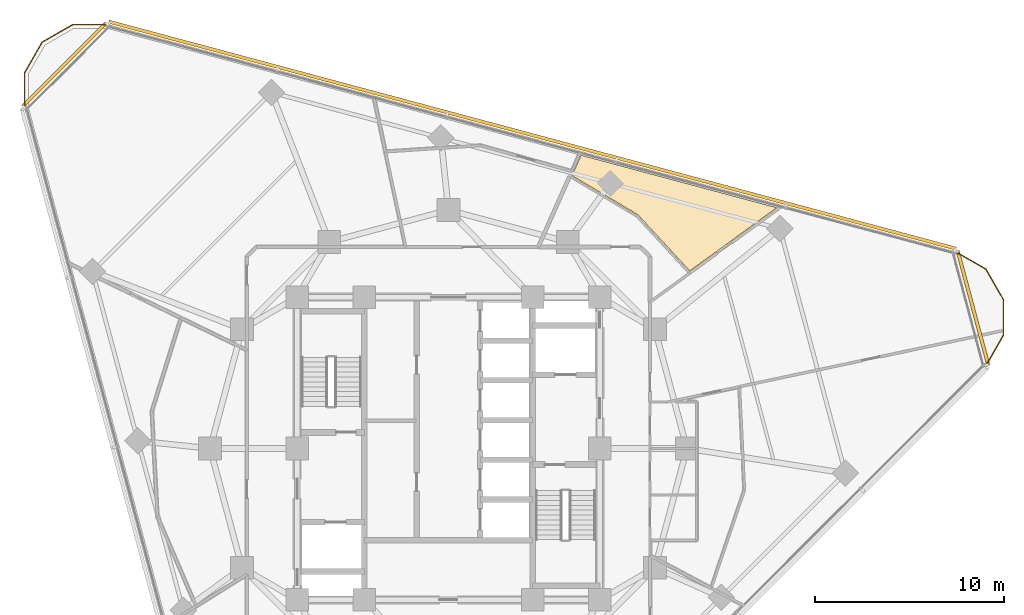
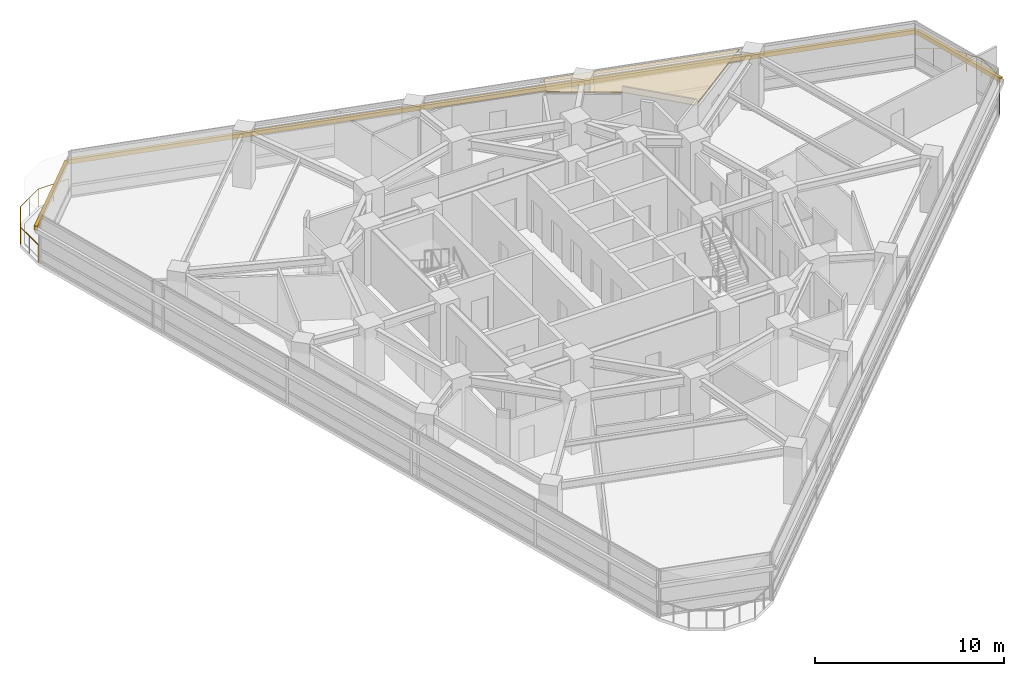
# One storey, part 14 of 14: 3 shading devices, 2 railings, 1 covering.
"""IFC4 building model written with IfcOpenShell, lengths in metres."""

import ifcopenshell
import ifcopenshell.guid

model = None  # the IFC model being written
_history = None  # IfcOwnerHistory: only IFC2X3 demands one
_inside = {}  # id of a spatial element -> (the spatial element, [elements in it])
_under = {}  # id of a project, library or spatial element -> (it, [spatial elements below it])
_declared = {}  # id of a project -> (the project, [libraries it declares])
_typed = {}  # id of a type object -> (the type object, [elements of that type])
_made_of = {}  # id of a material, layer set ... -> (it, [elements and type objects made of it])


def new_model(schema):
    """Start an empty IFC model of exactly this schema.

    Asked for "IFC4X3", IfcOpenShell would pick the latest addendum, in which some entities
    have other attributes; the version numbers below select the first issue.
    IFC2X3 requires an IfcOwnerHistory on every rooted entity: one is made here for all.
    """
    global model, _history
    if schema == "IFC4X3":
        model = ifcopenshell.file(schema_version=(4, 3, 0, 0))
    else:
        model = ifcopenshell.file(schema=schema)
    _inside.clear()
    _under.clear()
    _declared.clear()
    _typed.clear()
    _made_of.clear()
    _history = None
    if model.schema == "IFC2X3":
        org = make("IfcOrganization", Name="unknown")
        user = make(
            "IfcPersonAndOrganization",
            ThePerson=make("IfcPerson", FamilyName="unknown"),
            TheOrganization=org,
        )
        app = make(
            "IfcApplication",
            ApplicationDeveloper=org,
            Version="unknown",
            ApplicationFullName="unknown",
            ApplicationIdentifier="unknown",
        )
        _history = make(
            "IfcOwnerHistory",
            OwningUser=user,
            OwningApplication=app,
            ChangeAction="ADDED",
            CreationDate=0,
        )
    return model


def make(cls, **values):
    """One entity of the class cls with the attributes given. An attribute that is None is left unset."""
    return model.create_entity(
        cls, **{name: value for name, value in values.items() if value is not None}
    )


def rooted(cls, **values):
    """An entity with a GlobalId (a new one), such as an element, a storey or a relation."""
    return make(cls, GlobalId=ifcopenshell.guid.new(), OwnerHistory=_history, **values)


def si_unit(unit_type, name, prefix=None):
    """IfcSIUnit, for example si_unit("LENGTHUNIT", "METRE", prefix="MILLI")."""
    return make("IfcSIUnit", UnitType=unit_type, Prefix=prefix, Name=name)


def assignment(units):
    """IfcUnitAssignment: the units of a project."""
    return None if units is None else make("IfcUnitAssignment", Units=units)


def point(xyz):
    """IfcCartesianPoint."""
    return None if xyz is None else make("IfcCartesianPoint", Coordinates=xyz)


def direction(xyz):
    """IfcDirection."""
    return None if xyz is None else make("IfcDirection", DirectionRatios=xyz)


def frame(location, z_axis=None, x_axis=None):
    """IfcAxis2Placement3D, a coordinate frame: its origin and axes. An axis left out is left unset."""
    return make(
        "IfcAxis2Placement3D",
        Location=point(location),
        Axis=direction(z_axis),
        RefDirection=direction(x_axis),
    )


def frame_2d(location, x_axis=None):
    """IfcAxis2Placement2D, a coordinate frame in the plane: its origin and x axis."""
    return make(
        "IfcAxis2Placement2D", Location=point(location), RefDirection=direction(x_axis)
    )


def origin():
    """The frame at (0, 0, 0) with its axes left unset."""
    return frame((0.0, 0.0, 0.0))


def origin_2d():
    """The frame at (0, 0) in the plane with its x axis left unset."""
    return frame_2d((0.0, 0.0))


def place(relative_to, where):
    """IfcLocalPlacement: puts the frame where relative to a parent placement (None: the world)."""
    return make(
        "IfcLocalPlacement", PlacementRelTo=relative_to, RelativePlacement=where
    )


def context(
    kind, dimensions, precision=None, world=None, true_north=None, identifier=None
):
    """IfcGeometricRepresentationContext, for example the 3D "Model" context."""
    return make(
        "IfcGeometricRepresentationContext",
        ContextIdentifier=identifier,
        ContextType=kind,
        CoordinateSpaceDimension=dimensions,
        Precision=precision,
        WorldCoordinateSystem=world,
        TrueNorth=true_north,
    )


def subcontext(parent, identifier, kind, view, scale=None):
    """IfcGeometricRepresentationSubContext, for example "Body" below "Model"."""
    return make(
        "IfcGeometricRepresentationSubContext",
        ContextIdentifier=identifier,
        ContextType=kind,
        ParentContext=parent,
        TargetScale=scale,
        TargetView=view,
    )


def project(units=None, contexts=None):
    """IfcProject with its units and contexts."""
    return rooted(
        "IfcProject",
        Name="project",
        RepresentationContexts=contexts,
        UnitsInContext=assignment(units),
    )


def spatial(cls, under=None, at=None, **own):
    """A site, building, storey or space (cls), placed at a placement, below another one or the project."""
    s = rooted(cls, ObjectPlacement=at, **own)
    if under is not None:
        _under.setdefault(under.id(), (under, []))[1].append(s)
    return s


def polyline(points):
    """IfcPolyline through the points."""
    return make("IfcPolyline", Points=[point(p) for p in points])


def profile(cls, at=None, kind="AREA", **sizes):
    """A parametric profile (cls). Its sizes go by their IFC names, for example OverallWidth=200.0."""
    return make(cls, ProfileType=kind, Position=at, **sizes)


def rectangle(**sizes):
    """IfcRectangleProfileDef."""
    return profile("IfcRectangleProfileDef", **sizes)


def circle(**sizes):
    """IfcCircleProfileDef."""
    return profile("IfcCircleProfileDef", **sizes)


def outline(outer, holes=None, kind="AREA"):
    """IfcArbitraryClosedProfileDef: a profile drawn as a closed curve; with holes, ...WithVoids."""
    if holes is None:
        return make("IfcArbitraryClosedProfileDef", ProfileType=kind, OuterCurve=outer)
    return make(
        "IfcArbitraryProfileDefWithVoids",
        ProfileType=kind,
        OuterCurve=outer,
        InnerCurves=holes,
    )


def extrude(swept, where, along, depth):
    """IfcExtrudedAreaSolid: the profile swept, set in the frame where, extruded along a direction by depth."""
    return make(
        "IfcExtrudedAreaSolid",
        SweptArea=swept,
        Position=where,
        ExtrudedDirection=direction(along),
        Depth=depth,
    )


def shape(context_of_items, identifier, shape_type, items):
    """IfcShapeRepresentation: the items that make up one representation, for example the "Body"."""
    return make(
        "IfcShapeRepresentation",
        ContextOfItems=context_of_items,
        RepresentationIdentifier=identifier,
        RepresentationType=shape_type,
        Items=items,
    )


def material(Name=None, Category=None):
    """IfcMaterial."""
    return make("IfcMaterial", Name=Name, Category=Category)


def layer(
    of_material, thickness, ventilated=None, Name=None, Category=None, Priority=None
):
    """IfcMaterialLayer: one layer of a wall or slab, of a material (None: an air gap)."""
    return make(
        "IfcMaterialLayer",
        Material=of_material,
        LayerThickness=thickness,
        IsVentilated=ventilated,
        Name=Name,
        Category=Category,
        Priority=Priority,
    )


def layer_set(layers, Name=None):
    """IfcMaterialLayerSet."""
    return make("IfcMaterialLayerSet", MaterialLayers=layers, LayerSetName=Name)


def made_of(thing, what):
    """Note that an element or type object is made of a material, layer set ...; save() writes the relation."""
    if what is not None:
        _made_of.setdefault(what.id(), (what, []))[1].append(thing)
    return thing


def type_object(cls, material=None, **own):
    """A type object (cls), such as IfcWallType, which elements share."""
    return made_of(rooted(cls, **own), material)


def element(
    cls,
    number,
    at=None,
    inside=None,
    cuts=None,
    type_object=None,
    material=None,
    context=None,
    identifier="Body",
    shape_type=None,
    held_by="IfcProductDefinitionShape",
    body=None,
    shapes=None,
    **own,
):
    """One element of the class cls, such as IfcWall. Its Tag is "e" and its number.

    at: its placement. inside: the storey or other place that contains it. cuts: it is an
    opening in that element (IfcRelVoidsElement). A single representation is given by context,
    identifier, shape_type and body (its items); several are given by shapes. held_by: the class
    of the entity that holds the representations. save() writes the other relations.
    """
    e = rooted(cls, Tag="e%d" % number, ObjectPlacement=at, **own)
    if body is not None:
        shapes = [shape(context, identifier, shape_type, body)]
    if shapes is not None:
        e.Representation = make(held_by, Representations=shapes)
    if inside is not None:
        _inside.setdefault(inside.id(), (inside, []))[1].append(e)
    if cuts is not None:
        rooted(
            "IfcRelVoidsElement", RelatingBuildingElement=cuts, RelatedOpeningElement=e
        )
    if type_object is not None:
        _typed.setdefault(type_object.id(), (type_object, []))[1].append(e)
    return made_of(e, material)


def aggregate(whole, parts):
    """IfcRelAggregates: a whole, such as a stair, and the parts it consists of."""
    return rooted("IfcRelAggregates", RelatingObject=whole, RelatedObjects=parts)


def save(model, path):
    """Write the relations noted so far, then the file.

    IfcRelAggregates (storeys below a building ...), IfcRelContainedInSpatialStructure (elements
    in a storey), IfcRelDefinesByType, IfcRelAssociatesMaterial and IfcRelDeclares: one each for
    every whole, place, type object, material and project.
    """
    for whole, parts in _under.values():
        aggregate(whole, parts)
    for where, things in _inside.values():
        rooted(
            "IfcRelContainedInSpatialStructure",
            RelatedElements=things,
            RelatingStructure=where,
        )
    for kind, things in _typed.values():
        rooted("IfcRelDefinesByType", RelatedObjects=things, RelatingType=kind)
    for what, things in _made_of.values():
        rooted("IfcRelAssociatesMaterial", RelatedObjects=things, RelatingMaterial=what)
    for by, libraries in _declared.values():
        rooted("IfcRelDeclares", RelatingContext=by, RelatedDefinitions=libraries)
    model.write(path)


model = new_model("IFC4")

# Units and contexts
model_context = context("Model", 3, precision=1e-05, world=origin(), true_north=direction((0.0, 1.0)))
body_context = subcontext(model_context, "Body", "Model", "MODEL_VIEW")
ifc_project = project(units=[si_unit("LENGTHUNIT", "METRE"), si_unit("AREAUNIT", "SQUARE_METRE"), si_unit("VOLUMEUNIT", "CUBIC_METRE"), si_unit("PLANEANGLEUNIT", "RADIAN"), si_unit("MASSUNIT", "GRAM", prefix="KILO")], contexts=[model_context])

# Site, building, storey
site_placement = place(None, origin())
site = spatial("IfcSite", under=ifc_project, at=site_placement, CompositionType="ELEMENT")
building_placement = place(site_placement, origin())
building = spatial("IfcBuilding", under=site, at=building_placement, Name="Terralouvre Media Tower", CompositionType="ELEMENT")
storey_placement = place(building_placement, frame((0.0, 0.0, 187.89990234375)))
storey = spatial("IfcBuildingStorey", under=building, at=storey_placement, Name="L48", CompositionType="ELEMENT", Elevation=187.89990234375)

# Covering
ifc_material_1 = material(Name="Perforated aluminium acoustic ceiling baffle", Category="aluminium")
ifc_layer_1 = layer(ifc_material_1, 0.0400390625, Name="Perforated Acoustic Metal Tile Ceiling CL-AC1")
ifc_layer_set_1 = layer_set([ifc_layer_1], Name="Perforated aluminium acoustic ceiling baffle")
covering_type = type_object("IfcCoveringType", Name="Perforated Acoustic Metal Tile Ceiling CL-AC1", PredefinedType="CEILING", material=ifc_layer_set_1)
covering_placement = place(storey_placement, frame((0.0, 0.0, 2.97998046875), z_axis=(0.0, 0.0, 1.0), x_axis=(0.707106781187, 0.707106781187, 0.0)))
element("IfcCovering", 1, at=covering_placement, inside=storey, type_object=covering_type, Name="L48 Program Schedule Briefing Room 9 Acoustic Ceiling", PredefinedType="CEILING", context=body_context, shape_type="SweptSolid", body=[
    extrude(outline(polyline([(14.818115234375, 5.581298828125), (15.810302734375, 1.676513671875), (15.81201171875, 1.6669921875), (15.813232421875, 1.657470703125), (15.813232421875, 1.64794921875), (15.65478515625, -2.3779296875), (21.26513671875, -3.266845703125), (15.914794921875, 6.001708984375), (15.00390625, 5.652587890625), (14.818115234375, 5.581298828125)])), origin(), (0.0, 0.0, 1.0), 0.0400390625),
])

# Railings
ifc_material_2 = material(Name="Stainless steel 316 handrail and balustrade", Category="steel")
ifc_layer_2 = layer(ifc_material_2, 0.06005859375, Name="Roof Edge Safety Guardrail GR-ROOF1")
ifc_layer_set_2 = layer_set([ifc_layer_2], Name="Stainless steel 316 handrail and balustrade")
railing_type = type_object("IfcRailingType", Name="Roof Edge Safety Guardrail GR-ROOF1", PredefinedType="GUARDRAIL", material=ifc_layer_set_2)
railing_1_placement = place(storey_placement, frame((28.39892578125, 4.365478515625, 0.0)))
element("IfcRailing", 2, at=railing_1_placement, inside=storey, type_object=railing_type, Name="L48 Wind-Corner Perimeter Safety Guardrail C1", PredefinedType="GUARDRAIL", context=body_context, shape_type="SweptSolid", body=[
    extrude(circle(Radius=0.02099609375, at=origin_2d()), frame((0.0, 0.0, 1.12890625), z_axis=(0.500203770141, 0.86590772507, 0.0), x_axis=(-0.86590772507, 0.500203770141, 0.0)), (0.0, 0.0, 1.0), 1.873291015625),
    extrude(circle(Radius=0.02099609375, at=origin_2d()), frame((0.93701171875, 1.6220703125, 1.12890625), z_axis=(0.000130344107, 0.999999991505, 0.0), x_axis=(-0.999999991505, 0.000130344107, 0.0)), (0.0, 0.0, 1.0), 1.873046875),
    extrude(circle(Radius=0.02099609375, at=origin_2d()), frame((0.937255859375, 3.4951171875, 1.12890625), z_axis=(-0.500162491388, 0.86593156901, 0.0), x_axis=(-0.86593156901, -0.500162491388, 0.0)), (0.0, 0.0, 1.0), 1.873046875),
    extrude(circle(Radius=0.02099609375, at=origin_2d()), frame((0.00048828125, 5.116943359375, 1.12890625), z_axis=(-0.866142189219, 0.499797667116, 0.0), x_axis=(-0.499797667116, -0.866142189219, 0.0)), (0.0, 0.0, 1.0), 1.873291015625),
    extrude(circle(Radius=0.01904296875, at=origin_2d()), origin(), (0.0, 0.0, 1.0), 1.10791015625),
    extrude(circle(Radius=0.01904296875, at=origin_2d()), frame((0.468505859375, 0.81103515625, 0.0)), (0.0, 0.0, 1.0), 1.10791015625),
    extrude(circle(Radius=0.01904296875, at=origin_2d()), frame((0.93701171875, 1.6220703125, 0.0)), (0.0, 0.0, 1.0), 1.10791015625),
    extrude(circle(Radius=0.01904296875, at=origin_2d()), frame((0.93701171875, 2.55859375, 0.0)), (0.0, 0.0, 1.0), 1.10791015625),
    extrude(circle(Radius=0.01904296875, at=origin_2d()), frame((0.937255859375, 3.4951171875, 0.0)), (0.0, 0.0, 1.0), 1.10791015625),
    extrude(circle(Radius=0.01904296875, at=origin_2d()), frame((0.46875, 4.30615234375, 0.0)), (0.0, 0.0, 1.0), 1.10791015625),
    extrude(circle(Radius=0.01904296875, at=origin_2d()), frame((0.00048828125, 5.116943359375, 0.0)), (0.0, 0.0, 1.0), 1.10791015625),
    extrude(circle(Radius=0.01904296875, at=origin_2d()), frame((-0.810791015625, 5.5849609375, 0.0)), (0.0, 0.0, 1.0), 1.10791015625),
    extrude(circle(Radius=0.01904296875, at=origin_2d()), frame((-1.6220703125, 6.05322265625, 0.0)), (0.0, 0.0, 1.0), 1.10791015625),
])
railing_2_placement = place(storey_placement, frame((-17.97998046875, 22.411376953125, 0.0)))
element("IfcRailing", 3, at=railing_2_placement, inside=storey, type_object=railing_type, Name="L48 Wind-Corner Perimeter Safety Guardrail C2", PredefinedType="GUARDRAIL", context=body_context, shape_type="SweptSolid", body=[
    extrude(circle(Radius=0.02099609375, at=origin_2d()), frame((0.0, 0.0, 1.12890625), z_axis=(-0.99999996603, 0.000260654233, 0.0), x_axis=(-0.000260654233, -0.99999996603, 0.0)), (0.0, 0.0, 1.0), 1.873291015625),
    extrude(circle(Radius=0.02099609375, at=origin_2d()), frame((-1.873291015625, 0.00048828125, 1.12890625), z_axis=(-0.866109628736, -0.499854089722, 0.0), x_axis=(0.499854089722, -0.866109628736, 0.0)), (0.0, 0.0, 1.0), 1.873046875),
    extrude(circle(Radius=0.02099609375, at=origin_2d()), frame((-3.49560546875, -0.935791015625, 1.12890625), z_axis=(-0.499854089722, -0.866109628736, 0.0), x_axis=(0.866109628736, -0.499854089722, 0.0)), (0.0, 0.0, 1.0), 1.873046875),
    extrude(circle(Radius=0.02099609375, at=origin_2d()), frame((-4.431884765625, -2.55810546875, 1.12890625), z_axis=(0.000260654233, -0.99999996603, 0.0), x_axis=(0.99999996603, 0.000260654233, 0.0)), (0.0, 0.0, 1.0), 1.873291015625),
    extrude(circle(Radius=0.01904296875, at=origin_2d()), origin(), (0.0, 0.0, 1.0), 1.10791015625),
    extrude(circle(Radius=0.01904296875, at=origin_2d()), frame((-0.9365234375, 0.000244140625, 0.0)), (0.0, 0.0, 1.0), 1.10791015625),
    extrude(circle(Radius=0.01904296875, at=origin_2d()), frame((-1.873291015625, 0.00048828125, 0.0)), (0.0, 0.0, 1.0), 1.10791015625),
    extrude(circle(Radius=0.01904296875, at=origin_2d()), frame((-2.6845703125, -0.4677734375, 0.0)), (0.0, 0.0, 1.0), 1.10791015625),
    extrude(circle(Radius=0.01904296875, at=origin_2d()), frame((-3.49560546875, -0.935791015625, 0.0)), (0.0, 0.0, 1.0), 1.10791015625),
    extrude(circle(Radius=0.01904296875, at=origin_2d()), frame((-3.9638671875, -1.7470703125, 0.0)), (0.0, 0.0, 1.0), 1.10791015625),
    extrude(circle(Radius=0.01904296875, at=origin_2d()), frame((-4.431884765625, -2.55810546875, 0.0)), (0.0, 0.0, 1.0), 1.10791015625),
    extrude(circle(Radius=0.01904296875, at=origin_2d()), frame((-4.431640625, -3.49462890625, 0.0)), (0.0, 0.0, 1.0), 1.10791015625),
    extrude(circle(Radius=0.01904296875, at=origin_2d()), frame((-4.431396484375, -4.431396484375, 0.0)), (0.0, 0.0, 1.0), 1.10791015625),
])

# Shading devices
ifc_material_3 = material(Name="Extruded terracotta baguette sunshade louvres", Category="masonry")
shading_device_type = type_object("IfcShadingDeviceType", Name="Terracotta Baguette Sunshade Louvre Screen TB-LV1", PredefinedType="USERDEFINED", material=ifc_material_3)
shading_device_placement = place(storey_placement, frame((4.43701171875, 16.558837890625, 2.02392578125), z_axis=(0.0, 0.0, 1.0), x_axis=(-0.96592582942, 0.25881903342, 0.0)))
element("IfcShadingDevice", 4, at=shading_device_placement, inside=storey, type_object=shading_device_type, Name="CW-L48-F1 Terracotta Baguette Sunshade Louvre", ObjectType="BAGUETTE", PredefinedType="USERDEFINED", context=body_context, shape_type="SweptSolid", body=[
    extrude(rectangle(XDim=46.360107421875, YDim=0.179931640625, at=origin_2d()), origin(), (0.0, 0.0, 1.0), 0.280029296875),
])
for number, where, z_axis, x_axis, name in (
    (5, (27.71826171875, 7.427001953125, 2.02392578125), (0.0, 0.0, 1.0), (-0.258818728144, 0.965925911218, 0.0), "CW-L48-C1 Terracotta Baguette Sunshade Louvre"),
    (6, (-20.291015625, 20.291015625, 2.02392578125), (0.0, 0.0, 1.0), (-0.707106781187, -0.707106781187, 0.0), "CW-L48-C2 Terracotta Baguette Sunshade Louvre"),
):
    element("IfcShadingDevice", number, at=place(storey_placement, frame(where, z_axis=z_axis, x_axis=x_axis)), inside=storey, type_object=shading_device_type, Name=name, ObjectType="BAGUETTE", PredefinedType="USERDEFINED", context=body_context, shape_type="SweptSolid", body=[
        extrude(rectangle(XDim=6.27001953125, YDim=0.179931640625, at=origin_2d()), origin(), (0.0, 0.0, 1.0), 0.280029296875),
    ])

save(model, "model.ifc")
